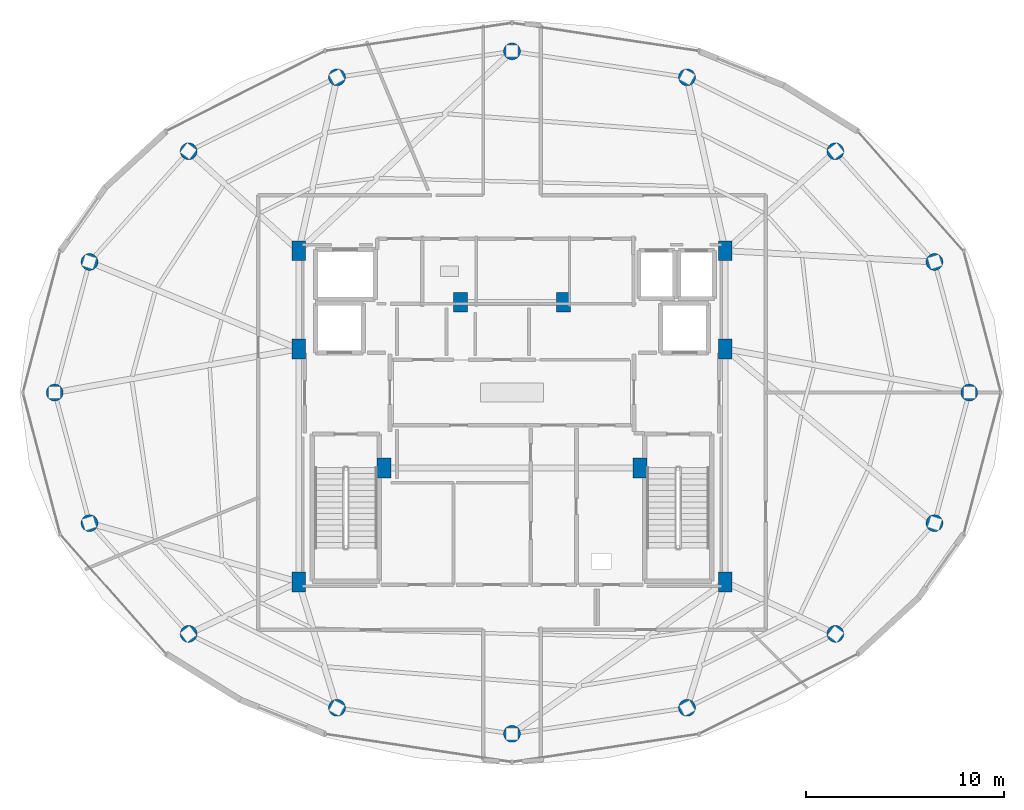
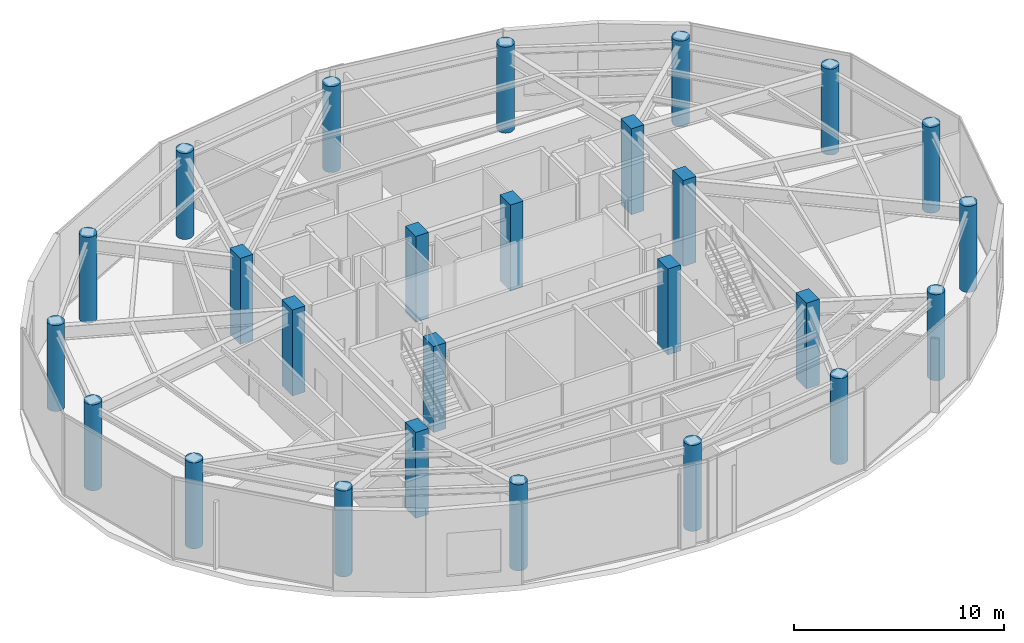
# One storey, part 1 of 24: 26 columns.
"""IFC4 building model written with IfcOpenShell, lengths in metres."""

from ifc_helpers import new_model, si_unit, direction, frame, origin, origin_2d, place, context, subcontext, project, spatial, rectangle, circle, extrude, material, material_profile, profile_set, type_object, element, save


model = new_model("IFC4")

# Units and contexts
model_context = context("Model", 3, precision=1e-05, world=origin(), true_north=direction((0.0, 1.0)))
body_context = subcontext(model_context, "Body", "Model", "MODEL_VIEW")
ifc_project = project(units=[si_unit("LENGTHUNIT", "METRE"), si_unit("AREAUNIT", "SQUARE_METRE"), si_unit("VOLUMEUNIT", "CUBIC_METRE"), si_unit("PLANEANGLEUNIT", "RADIAN"), si_unit("MASSUNIT", "GRAM", prefix="KILO")], contexts=[model_context])

# Site, building, storey
site_placement = place(None, origin())
site = spatial("IfcSite", under=ifc_project, at=site_placement, CompositionType="ELEMENT")
building_placement = place(site_placement, origin())
building = spatial("IfcBuilding", under=site, at=building_placement, Name="Vorneva Point Tower", CompositionType="ELEMENT")
storey_placement = place(building_placement, frame((0.0, 0.0, 290.39990234375)))
storey = spatial("IfcBuildingStorey", under=building, at=storey_placement, Name="L78", CompositionType="ELEMENT", Elevation=290.39990234375)

# Columns
ifc_material = material(Name="Concrete B50 (C40/50)", Category="concrete")
ifc_material_profile_1 = material_profile(ifc_material, circle(Radius=0.425048828125, at=origin_2d()), Name="RC-CIRC 850")
ifc_profile_set_1 = profile_set([ifc_material_profile_1], Name="Concrete B50 (C40/50)")
column_type_1 = type_object("IfcColumnType", Name="COL-RC850C", PredefinedType="COLUMN", material=ifc_profile_set_1)
for number, where, z_axis, x_axis, name in (
    (1, (61.050048828125, 26.0, 0.0), (0.0, 0.0, 1.0), (1.0, 0.0, 0.0), "L78 Perimeter Column P01"),
    (2, (59.29541015625, 32.582275390625, 0.0), (0.0, 0.0, 1.0), (0.923879532511, 0.382683432365, 0.0), "L78 Perimeter Column P02"),
    (3, (54.298828125, 38.162109375, 0.0), (0.0, 0.0, 1.0), (0.707106781187, 0.707106781187, 0.0), "L78 Perimeter Column P03"),
    (4, (46.82080078125, 41.890625, 0.0), (0.0, 0.0, 1.0), (0.382683432365, 0.923879532511, 0.0), "L78 Perimeter Column P04"),
    (5, (38.0, 43.199951171875, 0.0), (0.0, 0.0, 1.0), (0.0, 1.0, 0.0), "L78 Perimeter Column P05"),
    (6, (29.17919921875, 41.890625, 0.0), (0.0, 0.0, 1.0), (-0.382683432365, 0.923879532511, 0.0), "L78 Perimeter Column P06"),
    (7, (21.701171875, 38.162109375, 0.0), (0.0, 0.0, 1.0), (-0.707106781187, 0.707106781187, 0.0), "L78 Perimeter Column P07"),
    (8, (16.70458984375, 32.582275390625, 0.0), (0.0, 0.0, 1.0), (-0.923879532511, 0.382683432365, 0.0), "L78 Perimeter Column P08"),
    (9, (14.949951171875, 26.0, 0.0), (0.0, 0.0, 1.0), (-1.0, 0.0, 0.0), "L78 Perimeter Column P09"),
    (10, (16.70458984375, 19.417724609375, 0.0), (0.0, 0.0, 1.0), (-0.923879532511, -0.382683432365, 0.0), "L78 Perimeter Column P10"),
    (11, (21.701171875, 13.837890625, 0.0), (0.0, 0.0, 1.0), (-0.707106781187, -0.707106781187, 0.0), "L78 Perimeter Column P11"),
    (12, (29.17919921875, 10.109375, 0.0), (0.0, 0.0, 1.0), (-0.382683432365, -0.923879532511, 0.0), "L78 Perimeter Column P12"),
    (13, (38.0, 8.800048828125, 0.0), (0.0, 0.0, 1.0), (0.0, -1.0, 0.0), "L78 Perimeter Column P13"),
    (14, (46.82080078125, 10.109375, 0.0), (0.0, 0.0, 1.0), (0.382683432365, -0.923879532511, 0.0), "L78 Perimeter Column P14"),
    (15, (54.298828125, 13.837890625, 0.0), (0.0, 0.0, 1.0), (0.707106781187, -0.707106781187, 0.0), "L78 Perimeter Column P15"),
    (16, (59.29541015625, 19.417724609375, 0.0), (0.0, 0.0, 1.0), (0.923879532511, -0.382683432365, 0.0), "L78 Perimeter Column P16"),
):
    element("IfcColumn", number, at=place(storey_placement, frame(where, z_axis=z_axis, x_axis=x_axis)), inside=storey, type_object=column_type_1, Name=name, PredefinedType="COLUMN", context=body_context, shape_type="SweptSolid", body=[
        extrude(circle(Radius=0.425048828125, at=origin_2d()), origin(), (0.0, 0.0, 1.0), 5.0),
    ])
ifc_material_profile_2 = material_profile(ifc_material, rectangle(XDim=0.699951171875, YDim=1.0, at=origin_2d()), Name="RC-PIL 1000x700")
ifc_profile_set_2 = profile_set([ifc_material_profile_2], Name="Concrete B50 (C40/50)")
column_type_2 = type_object("IfcColumnType", Name="PIL-RC1000x700", PredefinedType="PILASTER", material=ifc_profile_set_2)
for number, where, z_axis, x_axis, name in (
    (17, (27.25, 16.449951171875, 0.0), (0.0, 0.0, 1.0), (1.0, 0.0, 0.0), "L78 Core Pilaster CP1"),
    (18, (27.25, 28.199951171875, 0.0), (0.0, 0.0, 1.0), (1.0, 0.0, 0.0), "L78 Core Pilaster CP2"),
    (19, (27.25, 33.14990234375, 0.0), (0.0, 0.0, 1.0), (1.0, 0.0, 0.0), "L78 Core Pilaster CP3"),
    (20, (31.550048828125, 22.199951171875, 0.0), (0.0, 0.0, 1.0), (1.0, 0.0, 0.0), "L78 Core Pilaster CP4"),
    (21, (48.75, 33.14990234375, 0.0), (0.0, 0.0, 1.0), (1.0, 0.0, 0.0), "L78 Core Pilaster CP5"),
    (22, (48.75, 28.199951171875, 0.0), (0.0, 0.0, 1.0), (1.0, 0.0, 0.0), "L78 Core Pilaster CP6"),
    (23, (48.75, 16.449951171875, 0.0), (0.0, 0.0, 1.0), (1.0, 0.0, 0.0), "L78 Core Pilaster CP7"),
    (24, (44.449951171875, 22.199951171875, 0.0), (0.0, 0.0, 1.0), (1.0, 0.0, 0.0), "L78 Core Pilaster CP8"),
    (25, (35.39990234375, 30.550048828125, 0.0), (0.0, 0.0, 1.0), (1.0, 0.0, 0.0), "L78 Core Pilaster CP9"),
    (26, (40.60009765625, 30.550048828125, 0.0), (0.0, 0.0, 1.0), (1.0, 0.0, 0.0), "L78 Core Pilaster CP10"),
):
    element("IfcColumn", number, at=place(storey_placement, frame(where, z_axis=z_axis, x_axis=x_axis)), inside=storey, type_object=column_type_2, Name=name, PredefinedType="PILASTER", context=body_context, shape_type="SweptSolid", body=[
        extrude(rectangle(XDim=0.699951171875, YDim=1.0, at=origin_2d()), origin(), (0.0, 0.0, 1.0), 5.0),
    ])

save(model, "model.ifc")
